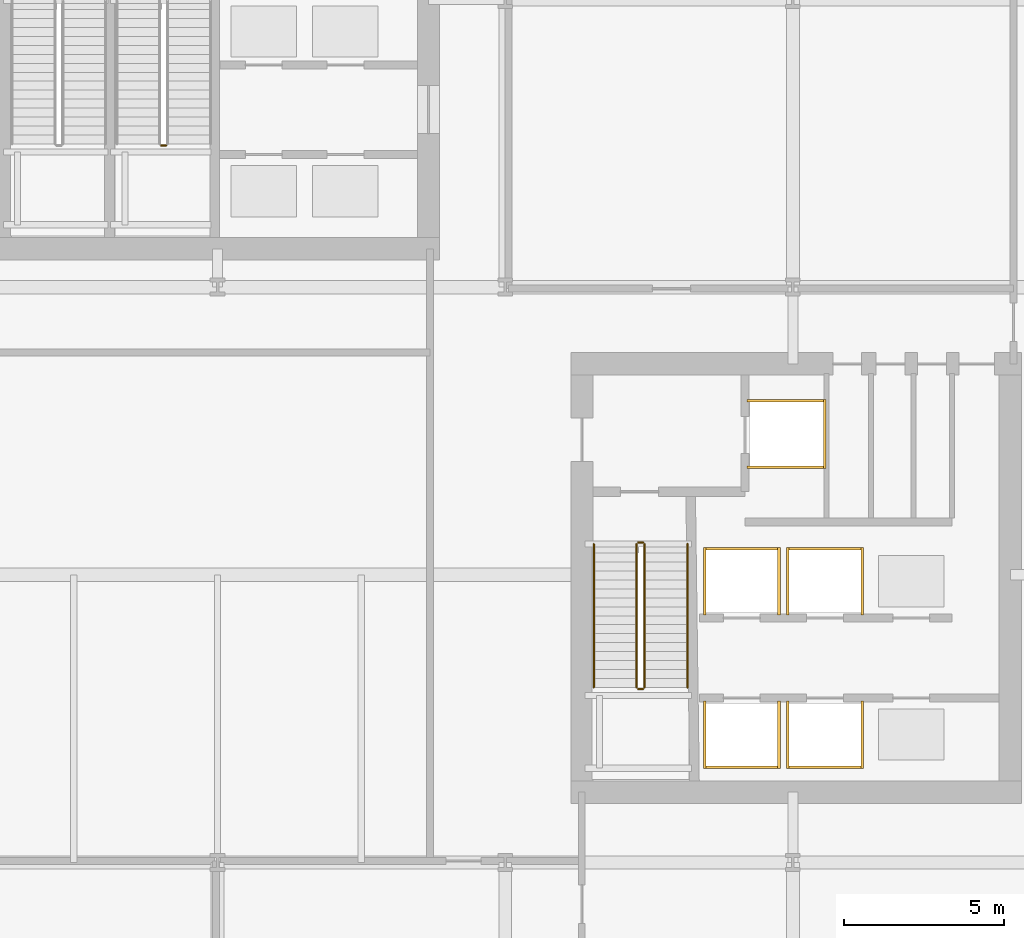
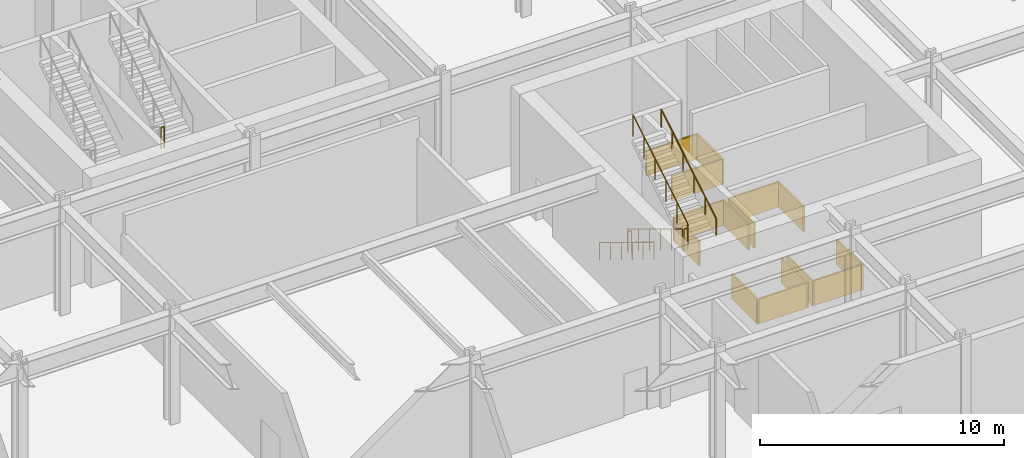
# One storey, part 15 of 19: 15 coverings, 7 railings.
"""IFC4 building model written with IfcOpenShell, lengths in metres."""

from ifc_helpers import new_model, si_unit, direction, frame, origin, origin_2d, place, context, subcontext, project, spatial, rectangle, circle, extrude, material, layer, layer_set, type_object, element, save


model = new_model("IFC4")

# Units and contexts
model_context = context("Model", 3, precision=1e-05, world=origin(), true_north=direction((0.0, 1.0)))
body_context = subcontext(model_context, "Body", "Model", "MODEL_VIEW")
ifc_project = project(units=[si_unit("LENGTHUNIT", "METRE"), si_unit("AREAUNIT", "SQUARE_METRE"), si_unit("VOLUMEUNIT", "CUBIC_METRE"), si_unit("PLANEANGLEUNIT", "RADIAN"), si_unit("MASSUNIT", "GRAM", prefix="KILO")], contexts=[model_context])

# Site, building, storey
site_placement = place(None, origin())
site = spatial("IfcSite", under=ifc_project, at=site_placement, CompositionType="ELEMENT")
building_placement = place(site_placement, origin())
building = spatial("IfcBuilding", under=site, at=building_placement, Name="Solvaryn Broadcast Tower", CompositionType="ELEMENT")
storey_placement = place(building_placement, origin())
storey = spatial("IfcBuildingStorey", under=building, at=storey_placement, Name="L00", CompositionType="ELEMENT", Elevation=0.0)

# Coverings
ifc_material_1 = material(Name="Fire-Rated Gypsum Shaftwall Liner", Category="concrete")
ifc_layer = layer(ifc_material_1, 0.080078125)
ifc_layer_set = layer_set([ifc_layer], Name="CV-SHAFT-LINER")
covering_type = type_object("IfcCoveringType", Name="CV-SHAFT-LINER", PredefinedType="CLADDING", material=ifc_layer_set)
for number, where, z_axis, x_axis, name in (
    (1, (35.800048828125, 23.43994140625, 0.0), (0.0, 0.0, 1.0), (1.0, 0.0, 0.0), "L00 FL2 Hoistway Shaft Liner North"),
    (2, (35.800048828125, 21.360107421875, 0.0), (0.0, 0.0, 1.0), (1.0, 0.0, 0.0), "L00 FL2 Hoistway Shaft Liner South"),
):
    element("IfcCovering", number, at=place(storey_placement, frame(where, z_axis=z_axis, x_axis=x_axis)), inside=storey, type_object=covering_type, Name=name, PredefinedType="CLADDING", context=body_context, shape_type="SweptSolid", body=[
        extrude(rectangle(XDim=2.4599609375, YDim=0.080078125, at=origin_2d()), origin(), (0.0, 0.0, 1.0), 1.25),
    ])
covering_1_placement = place(storey_placement, frame((36.989990234375, 22.39990234375, 0.0), z_axis=(0.0, 0.0, 1.0), x_axis=(1.0, 0.0, 0.0)))
element("IfcCovering", 3, at=covering_1_placement, inside=storey, type_object=covering_type, Name="L00 FL2 Hoistway Shaft Liner East", PredefinedType="CLADDING", context=body_context, shape_type="SweptSolid", body=[
    extrude(rectangle(XDim=0.080078125, YDim=2.159912109375, at=origin_2d()), origin(), (0.0, 0.0, 1.0), 1.25),
])
covering_2_placement = place(storey_placement, frame((34.39990234375, 11.985107421875, 0.0), z_axis=(0.0, 0.0, 1.0), x_axis=(1.0, 0.0, 0.0)))
element("IfcCovering", 4, at=covering_2_placement, inside=storey, type_object=covering_type, Name="L00 PL1 Hoistway Shaft Liner South", PredefinedType="CLADDING", context=body_context, shape_type="SweptSolid", body=[
    extrude(rectangle(XDim=2.409912109375, YDim=0.080078125, at=origin_2d()), origin(), (0.0, 0.0, 1.0), 1.25),
])
for number, where, z_axis, x_axis, name in (
    (5, (35.56494140625, 13.0, 0.0), (0.0, 0.0, 1.0), (1.0, 0.0, 0.0), "L00 PL1 Hoistway Shaft Liner East"),
    (6, (33.235107421875, 13.0, 0.0), (0.0, 0.0, 1.0), (1.0, 0.0, 0.0), "L00 PL1 Hoistway Shaft Liner West"),
):
    element("IfcCovering", number, at=place(storey_placement, frame(where, z_axis=z_axis, x_axis=x_axis)), inside=storey, type_object=covering_type, Name=name, PredefinedType="CLADDING", context=body_context, shape_type="SweptSolid", body=[
        extrude(rectangle(XDim=0.080078125, YDim=2.110107421875, at=origin_2d()), origin(), (0.0, 0.0, 1.0), 1.25),
    ])
covering_3_placement = place(storey_placement, frame((37.0, 11.985107421875, 0.0), z_axis=(0.0, 0.0, 1.0), x_axis=(1.0, 0.0, 0.0)))
element("IfcCovering", 7, at=covering_3_placement, inside=storey, type_object=covering_type, Name="L00 PL2 Hoistway Shaft Liner South", PredefinedType="CLADDING", context=body_context, shape_type="SweptSolid", body=[
    extrude(rectangle(XDim=2.409912109375, YDim=0.080078125, at=origin_2d()), origin(), (0.0, 0.0, 1.0), 1.25),
])
for number, where, z_axis, x_axis, name in (
    (8, (38.1650390625, 13.0, 0.0), (0.0, 0.0, 1.0), (1.0, 0.0, 0.0), "L00 PL2 Hoistway Shaft Liner East"),
    (9, (35.8349609375, 13.0, 0.0), (0.0, 0.0, 1.0), (1.0, 0.0, 0.0), "L00 PL2 Hoistway Shaft Liner West"),
):
    element("IfcCovering", number, at=place(storey_placement, frame(where, z_axis=z_axis, x_axis=x_axis)), inside=storey, type_object=covering_type, Name=name, PredefinedType="CLADDING", context=body_context, shape_type="SweptSolid", body=[
        extrude(rectangle(XDim=0.080078125, YDim=2.110107421875, at=origin_2d()), origin(), (0.0, 0.0, 1.0), 1.25),
    ])
covering_4_placement = place(storey_placement, frame((34.39990234375, 18.81494140625, 0.0), z_axis=(0.0, 0.0, 1.0), x_axis=(1.0, 0.0, 0.0)))
element("IfcCovering", 10, at=covering_4_placement, inside=storey, type_object=covering_type, Name="L00 PL3 Hoistway Shaft Liner North", PredefinedType="CLADDING", context=body_context, shape_type="SweptSolid", body=[
    extrude(rectangle(XDim=2.409912109375, YDim=0.080078125, at=origin_2d()), origin(), (0.0, 0.0, 1.0), 1.25),
])
for number, where, z_axis, x_axis, name in (
    (11, (35.56494140625, 17.800048828125, 0.0), (0.0, 0.0, 1.0), (1.0, 0.0, 0.0), "L00 PL3 Hoistway Shaft Liner East"),
    (12, (33.235107421875, 17.800048828125, 0.0), (0.0, 0.0, 1.0), (1.0, 0.0, 0.0), "L00 PL3 Hoistway Shaft Liner West"),
):
    element("IfcCovering", number, at=place(storey_placement, frame(where, z_axis=z_axis, x_axis=x_axis)), inside=storey, type_object=covering_type, Name=name, PredefinedType="CLADDING", context=body_context, shape_type="SweptSolid", body=[
        extrude(rectangle(XDim=0.080078125, YDim=2.110107421875, at=origin_2d()), origin(), (0.0, 0.0, 1.0), 1.25),
    ])
covering_5_placement = place(storey_placement, frame((37.0, 18.81494140625, 0.0), z_axis=(0.0, 0.0, 1.0), x_axis=(1.0, 0.0, 0.0)))
element("IfcCovering", 13, at=covering_5_placement, inside=storey, type_object=covering_type, Name="L00 PL4 Hoistway Shaft Liner North", PredefinedType="CLADDING", context=body_context, shape_type="SweptSolid", body=[
    extrude(rectangle(XDim=2.409912109375, YDim=0.080078125, at=origin_2d()), origin(), (0.0, 0.0, 1.0), 1.25),
])
for number, where, z_axis, x_axis, name in (
    (14, (38.1650390625, 17.800048828125, 0.0), (0.0, 0.0, 1.0), (1.0, 0.0, 0.0), "L00 PL4 Hoistway Shaft Liner East"),
    (15, (35.8349609375, 17.800048828125, 0.0), (0.0, 0.0, 1.0), (1.0, 0.0, 0.0), "L00 PL4 Hoistway Shaft Liner West"),
):
    element("IfcCovering", number, at=place(storey_placement, frame(where, z_axis=z_axis, x_axis=x_axis)), inside=storey, type_object=covering_type, Name=name, PredefinedType="CLADDING", context=body_context, shape_type="SweptSolid", body=[
        extrude(rectangle(XDim=0.080078125, YDim=2.110107421875, at=origin_2d()), origin(), (0.0, 0.0, 1.0), 1.25),
    ])

# Railings
ifc_material_2 = material(Name="Painted Steel Stair Well Guard", Category="steel")
railing_type_1 = type_object("IfcRailingType", Name="RL-STAIR-GUARD", PredefinedType="BALUSTRADE", material=ifc_material_2)
railing_1_placement = place(storey_placement, frame((16.239990234375, 31.429931640625, 2.89990234375)))
element("IfcRailing", 16, at=railing_1_placement, inside=storey, type_object=railing_type_1, Name="L00 ST2 stair guard 2", PredefinedType="BALUSTRADE", context=body_context, shape_type="SweptSolid", body=[
    extrude(circle(Radius=0.02392578125, at=origin_2d()), frame((0.0, 0.0, 1.076171875), z_axis=(1.0, 0.0, 0.0), x_axis=(0.0, 1.0, 0.0)), (0.0, 0.0, 1.0), 0.14990234375),
    extrude(circle(Radius=0.02099609375, at=origin_2d()), origin(), (0.0, 0.0, 1.0), 1.052001953125),
    extrude(circle(Radius=0.02099609375, at=origin_2d()), frame((0.14990234375, 0.0, 0.0)), (0.0, 0.0, 1.0), 1.052001953125),
])
railing_2_placement = place(storey_placement, frame((31.110107421875, 18.9599609375, 0.170654296875)))
element("IfcRailing", 17, at=railing_2_placement, inside=storey, type_object=railing_type_1, Name="L00 ST3 stair guard 1", PredefinedType="BALUSTRADE", context=body_context, shape_type="SweptSolid", body=[
    extrude(circle(Radius=0.02392578125, at=origin_2d()), frame((0.0, 0.0, 1.076171875), z_axis=(0.0, -0.854003478143, 0.520267296031), x_axis=(1.0, 0.0, 0.0)), (0.0, 0.0, 1.0), 5.245849609375),
    extrude(circle(Radius=0.02099609375, at=origin_2d()), origin(), (0.0, 0.0, 1.0), 1.052001953125),
    extrude(circle(Radius=0.02099609375, at=origin_2d()), frame((0.0, -0.89599609375, 0.5458984375)), (0.0, 0.0, 1.0), 1.052001953125),
    extrude(circle(Radius=0.02099609375, at=origin_2d()), frame((0.0, -1.7919921875, 1.091796875)), (0.0, 0.0, 1.0), 1.052001953125),
    extrude(circle(Radius=0.02099609375, at=origin_2d()), frame((0.0, -2.68798828125, 1.637451171875)), (0.0, 0.0, 1.0), 1.052001953125),
    extrude(circle(Radius=0.02099609375, at=origin_2d()), frame((0.0, -3.583984375, 2.183349609375)), (0.0, 0.0, 1.0), 1.052001953125),
    extrude(circle(Radius=0.02099609375, at=origin_2d()), frame((0.0, -4.47998046875, 2.729248046875)), (0.0, 0.0, 1.0), 1.052001953125),
])
railing_3_placement = place(storey_placement, frame((31.159912109375, 14.429931640625, 2.89990234375)))
element("IfcRailing", 18, at=railing_3_placement, inside=storey, type_object=railing_type_1, Name="L00 ST3 stair guard 2", PredefinedType="BALUSTRADE", context=body_context, shape_type="SweptSolid", body=[
    extrude(circle(Radius=0.02392578125, at=origin_2d()), frame((0.0, 0.0, 1.076171875), z_axis=(1.0, 0.0, 0.0), x_axis=(0.0, 1.0, 0.0)), (0.0, 0.0, 1.0), 0.150146484375),
    extrude(circle(Radius=0.02099609375, at=origin_2d()), origin(), (0.0, 0.0, 1.0), 1.052001953125),
    extrude(circle(Radius=0.02099609375, at=origin_2d()), frame((0.150146484375, 0.0, 0.0)), (0.0, 0.0, 1.0), 1.052001953125),
])
railing_4_placement = place(storey_placement, frame((31.360107421875, 14.47998046875, 3.070556640625)))
element("IfcRailing", 19, at=railing_4_placement, inside=storey, type_object=railing_type_1, Name="L00 ST3 stair guard 3", PredefinedType="BALUSTRADE", context=body_context, shape_type="SweptSolid", body=[
    extrude(circle(Radius=0.02392578125, at=origin_2d()), frame((0.0, 0.0, 1.076171875), z_axis=(0.0, 0.853982799912, 0.520301237222), x_axis=(-1.0, 0.0, 0.0)), (0.0, 0.0, 1.0), 5.24609375),
    extrude(circle(Radius=0.02099609375, at=origin_2d()), origin(), (0.0, 0.0, 1.0), 1.052001953125),
    extrude(circle(Radius=0.02099609375, at=origin_2d()), frame((0.0, 0.89599609375, 0.5458984375)), (0.0, 0.0, 1.0), 1.052001953125),
    extrude(circle(Radius=0.02099609375, at=origin_2d()), frame((0.0, 1.7919921875, 1.091796875)), (0.0, 0.0, 1.0), 1.052001953125),
    extrude(circle(Radius=0.02099609375, at=origin_2d()), frame((0.0, 2.68798828125, 1.6376953125)), (0.0, 0.0, 1.0), 1.052001953125),
    extrude(circle(Radius=0.02099609375, at=origin_2d()), frame((0.0, 3.583984375, 2.18359375)), (0.0, 0.0, 1.0), 1.052001953125),
    extrude(circle(Radius=0.02099609375, at=origin_2d()), frame((0.0, 4.47998046875, 2.7294921875)), (0.0, 0.0, 1.0), 1.052001953125),
])
railing_5_placement = place(storey_placement, frame((31.159912109375, 19.010009765625, 0.0)))
element("IfcRailing", 20, at=railing_5_placement, inside=storey, type_object=railing_type_1, Name="L00 ST3 stair guard 4", PredefinedType="BALUSTRADE", context=body_context, shape_type="SweptSolid", body=[
    extrude(circle(Radius=0.02392578125, at=origin_2d()), frame((0.0, 0.0, 1.076171875), z_axis=(1.0, 0.0, 0.0), x_axis=(0.0, 1.0, 0.0)), (0.0, 0.0, 1.0), 0.150146484375),
    extrude(circle(Radius=0.02099609375, at=origin_2d()), origin(), (0.0, 0.0, 1.0), 1.052001953125),
    extrude(circle(Radius=0.02099609375, at=origin_2d()), frame((0.150146484375, 0.0, 0.0)), (0.0, 0.0, 1.0), 1.052001953125),
])
ifc_material_3 = material(Name="Brushed Stainless Steel Tubular Handrail", Category="steel")
railing_type_2 = type_object("IfcRailingType", Name="RL-STAIR-HANDRAIL", PredefinedType="HANDRAIL", material=ifc_material_3)
railing_6_placement = place(storey_placement, frame((29.77001953125, 18.9599609375, 0.170654296875)))
element("IfcRailing", 21, at=railing_6_placement, inside=storey, type_object=railing_type_2, Name="L00 ST3 stair handrail 1", PredefinedType="HANDRAIL", context=body_context, shape_type="SweptSolid", body=[
    extrude(circle(Radius=0.02392578125, at=origin_2d()), frame((0.0, 0.0, 0.8759765625), z_axis=(0.0, -0.854003478143, 0.520267296031), x_axis=(1.0, 0.0, 0.0)), (0.0, 0.0, 1.0), 5.245849609375),
    extrude(circle(Radius=0.02099609375, at=origin_2d()), origin(), (0.0, 0.0, 1.0), 0.851806640625),
    extrude(circle(Radius=0.02099609375, at=origin_2d()), frame((0.0, -0.89599609375, 0.5458984375)), (0.0, 0.0, 1.0), 0.851806640625),
    extrude(circle(Radius=0.02099609375, at=origin_2d()), frame((0.0, -1.7919921875, 1.091796875)), (0.0, 0.0, 1.0), 0.851806640625),
    extrude(circle(Radius=0.02099609375, at=origin_2d()), frame((0.0, -2.68798828125, 1.637451171875)), (0.0, 0.0, 1.0), 0.851806640625),
    extrude(circle(Radius=0.02099609375, at=origin_2d()), frame((0.0, -3.583984375, 2.183349609375)), (0.0, 0.0, 1.0), 0.851806640625),
    extrude(circle(Radius=0.02099609375, at=origin_2d()), frame((0.0, -4.47998046875, 2.729248046875)), (0.0, 0.0, 1.0), 0.851806640625),
])
railing_7_placement = place(storey_placement, frame((32.699951171875, 14.47998046875, 3.070556640625)))
element("IfcRailing", 22, at=railing_7_placement, inside=storey, type_object=railing_type_2, Name="L00 ST3 stair handrail 2", PredefinedType="HANDRAIL", context=body_context, shape_type="SweptSolid", body=[
    extrude(circle(Radius=0.02392578125, at=origin_2d()), frame((0.0, 0.0, 0.8759765625), z_axis=(0.0, 0.853982799912, 0.520301237222), x_axis=(-1.0, 0.0, 0.0)), (0.0, 0.0, 1.0), 5.24609375),
    extrude(circle(Radius=0.02099609375, at=origin_2d()), origin(), (0.0, 0.0, 1.0), 0.851806640625),
    extrude(circle(Radius=0.02099609375, at=origin_2d()), frame((0.0, 0.89599609375, 0.5458984375)), (0.0, 0.0, 1.0), 0.851806640625),
    extrude(circle(Radius=0.02099609375, at=origin_2d()), frame((0.0, 1.7919921875, 1.091796875)), (0.0, 0.0, 1.0), 0.851806640625),
    extrude(circle(Radius=0.02099609375, at=origin_2d()), frame((0.0, 2.68798828125, 1.6376953125)), (0.0, 0.0, 1.0), 0.851806640625),
    extrude(circle(Radius=0.02099609375, at=origin_2d()), frame((0.0, 3.583984375, 2.18359375)), (0.0, 0.0, 1.0), 0.851806640625),
    extrude(circle(Radius=0.02099609375, at=origin_2d()), frame((0.0, 4.47998046875, 2.7294921875)), (0.0, 0.0, 1.0), 0.851806640625),
])

save(model, "model.ifc")
